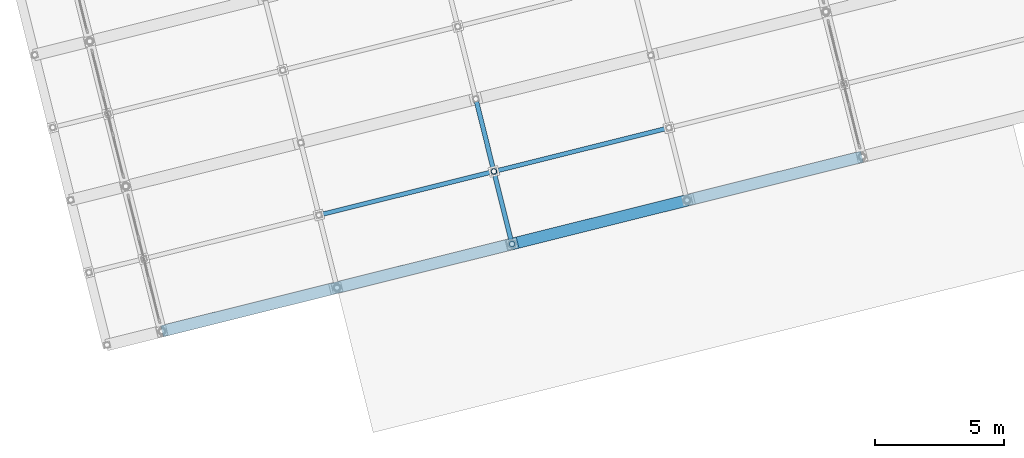
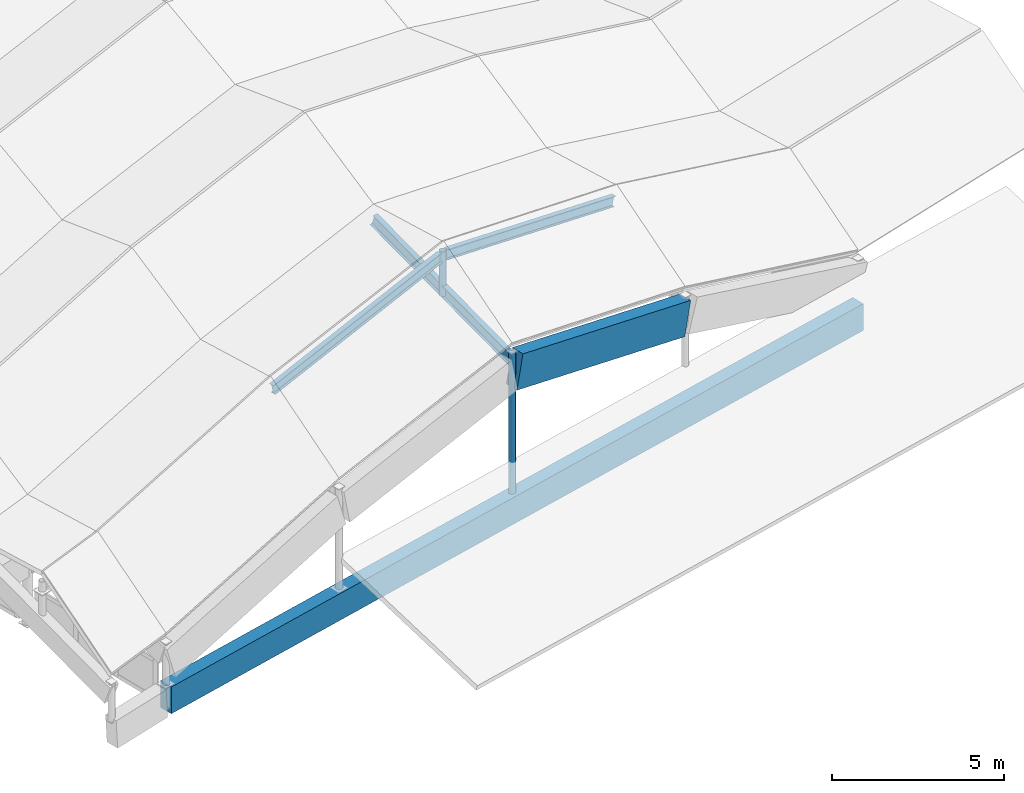
# One storey, part 15 of 65: 5 beams, 2 members.
"""IFC4 building model written with IfcOpenShell, lengths in metres."""

from ifc_helpers import new_model, si_unit, direction, frame, origin, origin_2d, place, context, subcontext, project, spatial, rectangle, hollow_circle, i_section, extrude, material, material_profile, profile_set, type_object, element, save


model = new_model("IFC4")

# Units and contexts
model_context = context("Model", 3, precision=1e-05, world=origin(), true_north=direction((0.0, 1.0)))
body_context = subcontext(model_context, "Body", "Model", "MODEL_VIEW")
ifc_project = project(units=[si_unit("LENGTHUNIT", "METRE"), si_unit("AREAUNIT", "SQUARE_METRE"), si_unit("VOLUMEUNIT", "CUBIC_METRE"), si_unit("PLANEANGLEUNIT", "RADIAN"), si_unit("MASSUNIT", "GRAM", prefix="KILO")], contexts=[model_context])

# Site, building, storey
site_placement = place(None, origin())
site = spatial("IfcSite", under=ifc_project, at=site_placement, CompositionType="ELEMENT")
building_placement = place(site_placement, origin())
building = spatial("IfcBuilding", under=site, at=building_placement, Name="Cinderway Yard Community Centre", CompositionType="ELEMENT")
storey_placement = place(building_placement, frame((0.0, 0.0, 24.300048828125)))
storey = spatial("IfcBuildingStorey", under=building, at=storey_placement, Name="RF", CompositionType="ELEMENT", Elevation=24.300048828125)

# Beams
ifc_material_1 = material(Name="Concrete C40/50", Category="concrete")
ifc_material_profile_1 = material_profile(ifc_material_1, rectangle(XDim=0.449951171875, YDim=1.199951171875, at=origin_2d()), Name="Concrete C40/50")
ifc_profile_set_1 = profile_set([ifc_material_profile_1], Name="Concrete C40/50")
beam_type_1 = type_object("IfcBeamType", Name="STR-BM-RC450X1200", PredefinedType="BEAM", material=ifc_profile_set_1)
beam_1_placement = place(storey_placement, frame((33.4951171875, 28.529052734375, -6.320068359375), z_axis=(0.950303016115, 0.236977149046, -0.201905939469), x_axis=(-0.241960342359, 0.970286139613, 0.0)))
element("IfcBeam", 1, at=beam_1_placement, inside=storey, type_object=beam_type_1, Name="Main Hall arch rib segment 01.3", PredefinedType="BEAM", context=body_context, shape_type="SweptSolid", body=[
    extrude(rectangle(XDim=0.449951171875, YDim=1.199951171875, at=origin_2d()), origin(), (0.0, 0.0, 1.0), 6.933349609375),
])
ifc_material_profile_2 = material_profile(ifc_material_1, rectangle(XDim=0.449951171875, YDim=0.949951171875, at=origin_2d()), Name="Concrete C40/50")
ifc_profile_set_2 = profile_set([ifc_material_profile_2], Name="Concrete C40/50")
beam_type_2 = type_object("IfcBeamType", Name="STR-BM-RC450X950", PredefinedType="BEAM", material=ifc_profile_set_2)
beam_2_placement = place(storey_placement, frame((19.80908203125, 25.116943359375, -11.125), z_axis=(0.970294124663, 0.241928319228, 0.0), x_axis=(-0.241928319228, 0.970294124663, 0.0)))
element("IfcBeam", 2, at=beam_2_placement, inside=storey, type_object=beam_type_2, Name="Main Hall folded-plate arch tie girder 01", PredefinedType="BEAM", context=body_context, shape_type="SweptSolid", body=[
    extrude(rectangle(XDim=0.449951171875, YDim=0.949951171875, at=origin_2d()), origin(), (0.0, 0.0, 1.0), 28.000732421875),
])
ifc_material_2 = material(Name="Steel S355", Category="steel")
ifc_material_profile_3 = material_profile(ifc_material_2, i_section(OverallWidth=0.172119140625, OverallDepth=0.35791015625, WebThickness=0.0078125, FlangeThickness=0.01318359375, FilletRadius=0.010986328125, at=origin_2d()), Name="Steel S355")
ifc_profile_set_3 = profile_set([ifc_material_profile_3], Name="Steel S355")
beam_type_3 = type_object("IfcBeamType", Name="STR-BM-W360X57", PredefinedType="JOIST", material=ifc_profile_set_3)
beam_3_placement = place(storey_placement, frame((26.001953125, 29.64990234375, -5.093017578125), z_axis=(0.950324493097, 0.236867983716, 0.201932949543), x_axis=(-0.241850256561, 0.970313585086, 0.0)))
element("IfcBeam", 3, at=beam_3_placement, inside=storey, type_object=beam_type_3, Name="Folded-plate ridge beam B1.3", PredefinedType="JOIST", context=body_context, shape_type="SweptSolid", body=[
    extrude(i_section(OverallWidth=0.172119140625, OverallDepth=0.35791015625, WebThickness=0.0078125, FlangeThickness=0.01318359375, FilletRadius=0.010986328125, at=origin_2d()), origin(), (0.0, 0.0, 1.0), 6.9326171875),
])
beam_4_placement = place(storey_placement, frame((32.7939453125, 31.343017578125, -3.693115234375), z_axis=(0.950292775874, 0.237000940583, -0.20192621), x_axis=(-0.241985666717, 0.970279824125, 0.0)))
element("IfcBeam", 4, at=beam_4_placement, inside=storey, type_object=beam_type_3, Name="Folded-plate ridge beam B1.4", PredefinedType="JOIST", context=body_context, shape_type="SweptSolid", body=[
    extrude(i_section(OverallWidth=0.172119140625, OverallDepth=0.35791015625, WebThickness=0.0078125, FlangeThickness=0.01318359375, FilletRadius=0.010986328125, at=origin_2d()), origin(), (0.0, 0.0, 1.0), 6.932861328125),
])
ifc_material_profile_4 = material_profile(ifc_material_2, i_section(OverallWidth=0.178955078125, OverallDepth=0.409912109375, WebThickness=0.0087890625, FlangeThickness=0.013427734375, FilletRadius=0.011962890625, at=origin_2d()), Name="Steel S355")
ifc_profile_set_4 = profile_set([ifc_material_profile_4], Name="Steel S355")
beam_type_4 = type_object("IfcBeamType", Name="STR-BM-W410X67", PredefinedType="JOIST", material=ifc_profile_set_4)
beam_5_placement = place(storey_placement, frame((33.39404296875, 28.50390625, -5.925048828125), z_axis=(-0.22807775468, 0.914095664687, 0.335275489143), x_axis=(-0.970253826407, -0.24208988484, 0.0)))
element("IfcBeam", 5, at=beam_5_placement, inside=storey, type_object=beam_type_4, Name="Folded-plate valley beam B1-U14", PredefinedType="JOIST", context=body_context, shape_type="SweptSolid", body=[
    extrude(i_section(OverallWidth=0.178955078125, OverallDepth=0.409912109375, WebThickness=0.0087890625, FlangeThickness=0.013427734375, FilletRadius=0.011962890625, at=origin_2d()), origin(), (0.0, 0.0, 1.0), 6.156005859375),
])

# Members
ifc_material_profile_5 = material_profile(ifc_material_2, hollow_circle(Radius=0.109619140625, WallThickness=0.010009765625, at=origin_2d()), Name="Steel S355")
ifc_profile_set_5 = profile_set([ifc_material_profile_5], Name="Steel S355")
member_type = type_object("IfcMemberType", Name="STR-MEM-STRUT-CHS219", PredefinedType="STRUT", material=ifc_profile_set_5)
member_1_placement = place(storey_placement, frame((33.39404296875, 28.50390625, -10.75), z_axis=(0.0, 0.0, 1.0), x_axis=(1.0, 0.0, 0.0)))
element("IfcMember", 6, at=member_1_placement, inside=storey, type_object=member_type, Name="Arch rib web post 01-14", PredefinedType="STRUT", context=body_context, shape_type="SweptSolid", body=[
    extrude(hollow_circle(Radius=0.109619140625, WallThickness=0.010009765625, at=origin_2d()), origin(), (0.0, 0.0, 1.0), 5.10986328125),
])
member_2_placement = place(storey_placement, frame((32.69189453125, 31.318115234375, -5.088134765625), z_axis=(0.0, 0.0, 1.0), x_axis=(1.0, 0.0, 0.0)))
element("IfcMember", 7, at=member_2_placement, inside=storey, type_object=member_type, Name="Folded-plate ridge kingpost B1-U14", PredefinedType="STRUT", context=body_context, shape_type="SweptSolid", body=[
    extrude(hollow_circle(Radius=0.109619140625, WallThickness=0.010009765625, at=origin_2d()), origin(), (0.0, 0.0, 1.0), 1.583984375),
])

save(model, "model.ifc")
